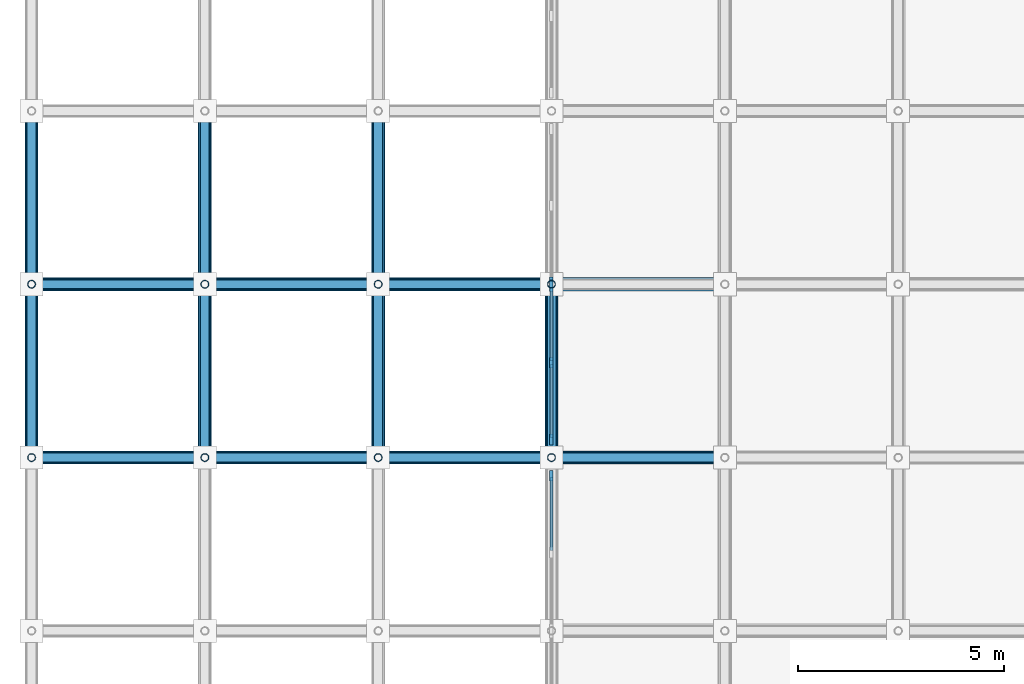
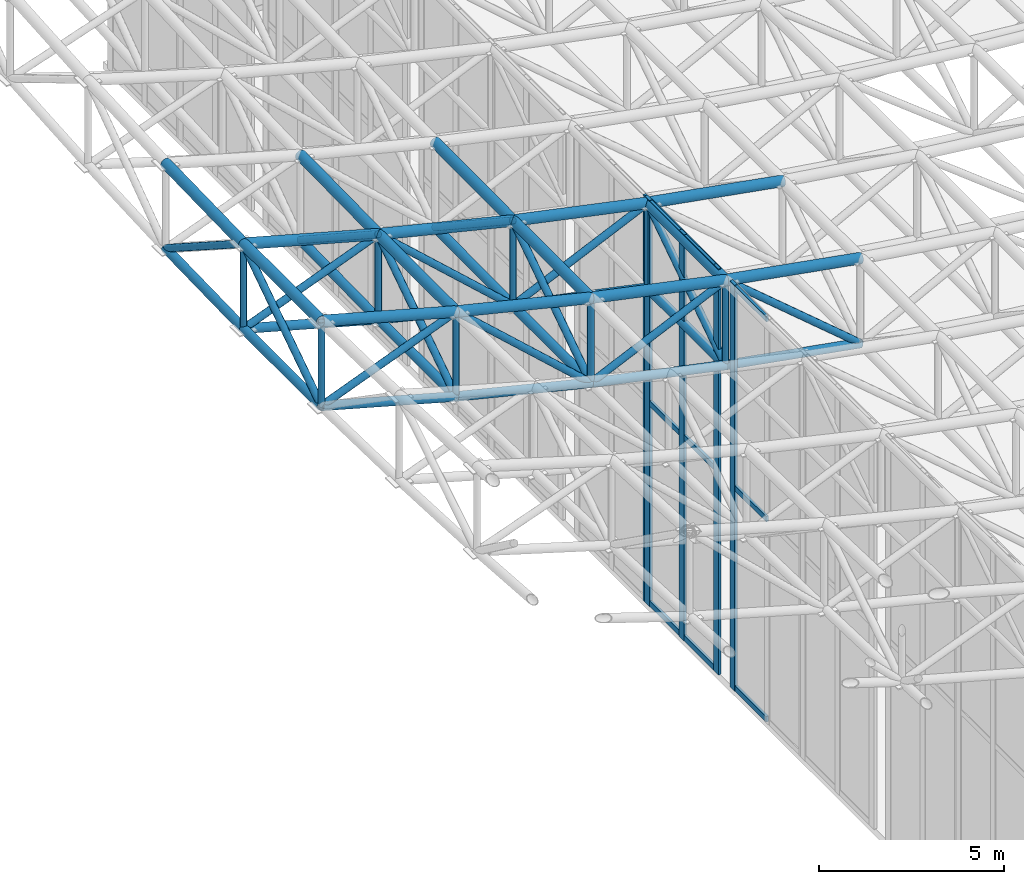
# One storey, part 22 of 93: 65 members, 3 elements without a shape of their own.
"""IFC4 building model written with IfcOpenShell, lengths in metres."""

from ifc_helpers import new_model, si_unit, direction, frame, origin, origin_2d, place, context, subcontext, project, spatial, rectangle, hollow_circle, extrude, material, material_profile, profile_set, type_object, element, aggregate, save


model = new_model("IFC4")

# Units and contexts
model_context = context("Model", 3, precision=1e-05, world=origin(), true_north=direction((0.0, 1.0)))
body_context = subcontext(model_context, "Body", "Model", "MODEL_VIEW")
ifc_project = project(units=[si_unit("LENGTHUNIT", "METRE"), si_unit("AREAUNIT", "SQUARE_METRE"), si_unit("VOLUMEUNIT", "CUBIC_METRE"), si_unit("PLANEANGLEUNIT", "RADIAN"), si_unit("MASSUNIT", "GRAM", prefix="KILO")], contexts=[model_context])

# Site, building, storey
site_placement = place(None, origin())
site = spatial("IfcSite", under=ifc_project, at=site_placement, CompositionType="ELEMENT")
building_placement = place(site_placement, origin())
building = spatial("IfcBuilding", under=site, at=building_placement, Name="Cumbredor Promenade Congress Hotel", CompositionType="ELEMENT")
storey_placement = place(building_placement, frame((0.0, 0.0, 21.840087890625)))
storey = spatial("IfcBuildingStorey", under=building, at=storey_placement, Name="L06", CompositionType="ELEMENT", Elevation=21.840087890625)

# Curtain wall, member
ifc_material_1 = material(Name="Thermally broken anodized aluminium and low-E glass", Category="aluminium")
curtain_wall_type = type_object("IfcCurtainWallType", Name="Stepped Pavilion Clerestory Curtain Wall CW-06", PredefinedType="NOTDEFINED", material=ifc_material_1)
curtain_wall_1_placement = place(storey_placement, origin())
curtain_wall_1 = element("IfcCurtainWall", 1, at=curtain_wall_1_placement, inside=storey, type_object=curtain_wall_type, Name="Plenary Congress Hall W Glazed Clerestory 6", PredefinedType="NOTDEFINED")
ifc_material_2 = material(Name="Thermally broken anodized aluminium", Category="aluminium")
ifc_material_profile_1 = material_profile(ifc_material_2, rectangle(XDim=0.0849609375, YDim=0.260009765625, at=origin_2d()), Name="ALU MULLION CLERESTORY 85x260")
ifc_profile_set_1 = profile_set([ifc_material_profile_1], Name="Thermally broken anodized aluminium")
member_type_1 = type_object("IfcMemberType", Name="Curtain Wall Mullion ML-04", PredefinedType="MULLION", material=ifc_profile_set_1)
member_1_placement = place(storey_placement, frame((8.39990234375, 33.159912109375, -0.01806640625), z_axis=(0.0, 0.0, 1.0), x_axis=(1.0, 0.0, 0.0)))
member_1 = element("IfcMember", 2, at=member_1_placement, type_object=member_type_1, Name="Plenary Congress Hall W Glazed Clerestory 6 Mullion 3", PredefinedType="MULLION", context=body_context, shape_type="SweptSolid", body=[
    extrude(rectangle(XDim=0.0849609375, YDim=0.260009765625, at=origin_2d()), origin(), (0.0, 0.0, 1.0), 13.3857421875),
])

# Curtain wall, members
curtain_wall_2_placement = place(storey_placement, origin())
curtain_wall_2 = element("IfcCurtainWall", 3, at=curtain_wall_2_placement, inside=storey, type_object=curtain_wall_type, Name="Plenary Congress Hall W Glazed Clerestory 7", PredefinedType="NOTDEFINED")
member_2_placement = place(storey_placement, frame((8.39990234375, 34.0400390625, -0.01806640625), z_axis=(0.0, 0.0, 1.0), x_axis=(1.0, 0.0, 0.0)))
member_2 = element("IfcMember", 4, at=member_2_placement, type_object=member_type_1, Name="Plenary Congress Hall W Glazed Clerestory 7 Mullion 1", PredefinedType="MULLION", context=body_context, shape_type="SweptSolid", body=[
    extrude(rectangle(XDim=0.0849609375, YDim=0.260009765625, at=origin_2d()), origin(), (0.0, 0.0, 1.0), 13.3857421875),
])
member_3_placement = place(storey_placement, frame((8.39990234375, 35.89990234375, -0.01806640625), z_axis=(0.0, 0.0, 1.0), x_axis=(1.0, 0.0, 0.0)))
member_3 = element("IfcMember", 5, at=member_3_placement, type_object=member_type_1, Name="Plenary Congress Hall W Glazed Clerestory 7 Mullion 2", PredefinedType="MULLION", context=body_context, shape_type="SweptSolid", body=[
    extrude(rectangle(XDim=0.0849609375, YDim=0.260009765625, at=origin_2d()), origin(), (0.0, 0.0, 1.0), 13.3857421875),
])
member_4_placement = place(storey_placement, frame((8.39990234375, 37.760009765625, -0.01806640625), z_axis=(0.0, 0.0, 1.0), x_axis=(1.0, 0.0, 0.0)))
member_4 = element("IfcMember", 6, at=member_4_placement, type_object=member_type_1, Name="Plenary Congress Hall W Glazed Clerestory 7 Mullion 3", PredefinedType="MULLION", context=body_context, shape_type="SweptSolid", body=[
    extrude(rectangle(XDim=0.0849609375, YDim=0.260009765625, at=origin_2d()), origin(), (0.0, 0.0, 1.0), 13.3857421875),
])

# Curtain wall, member
curtain_wall_3_placement = place(storey_placement, origin())
curtain_wall_3 = element("IfcCurtainWall", 7, at=curtain_wall_3_placement, inside=storey, type_object=curtain_wall_type, Name="Plenary Congress Hall W Glazed Clerestory 8", PredefinedType="NOTDEFINED")
member_5_placement = place(storey_placement, frame((8.39990234375, 37.840087890625, -0.01806640625), z_axis=(0.0, 0.0, 1.0), x_axis=(1.0, 0.0, 0.0)))
member_5 = element("IfcMember", 8, at=member_5_placement, type_object=member_type_1, Name="Plenary Congress Hall W Glazed Clerestory 8 Mullion 1", PredefinedType="MULLION", context=body_context, shape_type="SweptSolid", body=[
    extrude(rectangle(XDim=0.0849609375, YDim=0.260009765625, at=origin_2d()), origin(), (0.0, 0.0, 1.0), 13.3857421875),
])
aggregate(curtain_wall_3, [member_5])

# Member
ifc_material_profile_2 = material_profile(ifc_material_2, rectangle(XDim=0.080078125, YDim=0.179931640625, at=origin_2d()), Name="ALU TRANSOM 80x180")
ifc_profile_set_2 = profile_set([ifc_material_profile_2], Name="Thermally broken anodized aluminium")
member_type_2 = type_object("IfcMemberType", Name="Curtain Wall Transom TR-03", PredefinedType="USERDEFINED", material=ifc_profile_set_2)
member_6_placement = place(storey_placement, frame((8.39990234375, 31.342529296875, 0.079833984375), z_axis=(0.0, 1.0, 0.0), x_axis=(-1.0, 0.0, 0.0)))
member_6 = element("IfcMember", 9, at=member_6_placement, type_object=member_type_2, Name="Plenary Congress Hall W Glazed Clerestory 6 Transom 2.1", ObjectType="TRANSOM", PredefinedType="USERDEFINED", context=body_context, shape_type="SweptSolid", body=[
    extrude(rectangle(XDim=0.080078125, YDim=0.179931640625, at=origin_2d()), origin(), (0.0, 0.0, 1.0), 1.77490234375),
])

member_7_placement = place(storey_placement, frame((8.39990234375, 31.342529296875, 6.679931640625), z_axis=(0.0, 1.0, 0.0), x_axis=(-1.0, 0.0, 0.0)))
member_7 = element("IfcMember", 10, at=member_7_placement, type_object=member_type_2, Name="Plenary Congress Hall W Glazed Clerestory 6 Transom 2.2", ObjectType="TRANSOM", PredefinedType="USERDEFINED", context=body_context, shape_type="SweptSolid", body=[
    extrude(rectangle(XDim=0.080078125, YDim=0.179931640625, at=origin_2d()), origin(), (0.0, 0.0, 1.0), 1.77490234375),
])

member_8_placement = place(storey_placement, frame((8.39990234375, 31.342529296875, 13.27001953125), z_axis=(0.0, 1.0, 0.0), x_axis=(-1.0, 0.0, 0.0)))
member_8 = element("IfcMember", 11, at=member_8_placement, type_object=member_type_2, Name="Plenary Congress Hall W Glazed Clerestory 6 Transom 2.3", ObjectType="TRANSOM", PredefinedType="USERDEFINED", context=body_context, shape_type="SweptSolid", body=[
    extrude(rectangle(XDim=0.080078125, YDim=0.179931640625, at=origin_2d()), origin(), (0.0, 0.0, 1.0), 1.77490234375),
])

aggregate(curtain_wall_1, [member_1, member_6, member_7, member_8])

member_9_placement = place(storey_placement, frame((8.39990234375, 34.08251953125, 0.079833984375), z_axis=(0.0, 1.0, 0.0), x_axis=(-1.0, 0.0, 0.0)))
member_9 = element("IfcMember", 12, at=member_9_placement, type_object=member_type_2, Name="Plenary Congress Hall W Glazed Clerestory 7 Transom 1.1", ObjectType="TRANSOM", PredefinedType="USERDEFINED", context=body_context, shape_type="SweptSolid", body=[
    extrude(rectangle(XDim=0.080078125, YDim=0.179931640625, at=origin_2d()), origin(), (0.0, 0.0, 1.0), 1.77490234375),
])

member_10_placement = place(storey_placement, frame((8.39990234375, 34.08251953125, 6.679931640625), z_axis=(0.0, 1.0, 0.0), x_axis=(-1.0, 0.0, 0.0)))
member_10 = element("IfcMember", 13, at=member_10_placement, type_object=member_type_2, Name="Plenary Congress Hall W Glazed Clerestory 7 Transom 1.2", ObjectType="TRANSOM", PredefinedType="USERDEFINED", context=body_context, shape_type="SweptSolid", body=[
    extrude(rectangle(XDim=0.080078125, YDim=0.179931640625, at=origin_2d()), origin(), (0.0, 0.0, 1.0), 1.77490234375),
])

member_11_placement = place(storey_placement, frame((8.39990234375, 34.08251953125, 13.27001953125), z_axis=(0.0, 1.0, 0.0), x_axis=(-1.0, 0.0, 0.0)))
member_11 = element("IfcMember", 14, at=member_11_placement, type_object=member_type_2, Name="Plenary Congress Hall W Glazed Clerestory 7 Transom 1.3", ObjectType="TRANSOM", PredefinedType="USERDEFINED", context=body_context, shape_type="SweptSolid", body=[
    extrude(rectangle(XDim=0.080078125, YDim=0.179931640625, at=origin_2d()), origin(), (0.0, 0.0, 1.0), 1.77490234375),
])

member_12_placement = place(storey_placement, frame((8.39990234375, 35.9423828125, 0.079833984375), z_axis=(0.0, 1.0, 0.0), x_axis=(-1.0, 0.0, 0.0)))
member_12 = element("IfcMember", 15, at=member_12_placement, type_object=member_type_2, Name="Plenary Congress Hall W Glazed Clerestory 7 Transom 2.1", ObjectType="TRANSOM", PredefinedType="USERDEFINED", context=body_context, shape_type="SweptSolid", body=[
    extrude(rectangle(XDim=0.080078125, YDim=0.179931640625, at=origin_2d()), origin(), (0.0, 0.0, 1.0), 1.775146484375),
])

member_13_placement = place(storey_placement, frame((8.39990234375, 35.9423828125, 6.679931640625), z_axis=(0.0, 1.0, 0.0), x_axis=(-1.0, 0.0, 0.0)))
member_13 = element("IfcMember", 16, at=member_13_placement, type_object=member_type_2, Name="Plenary Congress Hall W Glazed Clerestory 7 Transom 2.2", ObjectType="TRANSOM", PredefinedType="USERDEFINED", context=body_context, shape_type="SweptSolid", body=[
    extrude(rectangle(XDim=0.080078125, YDim=0.179931640625, at=origin_2d()), origin(), (0.0, 0.0, 1.0), 1.775146484375),
])

member_14_placement = place(storey_placement, frame((8.39990234375, 35.9423828125, 13.27001953125), z_axis=(0.0, 1.0, 0.0), x_axis=(-1.0, 0.0, 0.0)))
member_14 = element("IfcMember", 17, at=member_14_placement, type_object=member_type_2, Name="Plenary Congress Hall W Glazed Clerestory 7 Transom 2.3", ObjectType="TRANSOM", PredefinedType="USERDEFINED", context=body_context, shape_type="SweptSolid", body=[
    extrude(rectangle(XDim=0.080078125, YDim=0.179931640625, at=origin_2d()), origin(), (0.0, 0.0, 1.0), 1.775146484375),
])

aggregate(curtain_wall_2, [member_2, member_3, member_4, member_9, member_10, member_11, member_12, member_13, member_14])

# Members
ifc_material_3 = material(Name="Steel ASTM A500 Grade C", Category="steel")
ifc_material_profile_3 = material_profile(ifc_material_3, hollow_circle(Radius=0.136474609375, WallThickness=0.01611328125, at=origin_2d()), Name="CHS 273.0x16")
ifc_profile_set_3 = profile_set([ifc_material_profile_3], Name="Steel ASTM A500 Grade C")
member_type_3 = type_object("IfcMemberType", Name="Plenary Roof Space Frame Bottom Chord", PredefinedType="CHORD", material=ifc_profile_set_3)
member_15_placement = place(storey_placement, frame((-4.199951171875, 33.60009765625, 13.443359375), z_axis=(0.963958927947, 0.0, -0.266051095152), x_axis=(0.0, 1.0, 0.0)))
element("IfcMember", 18, at=member_15_placement, inside=storey, type_object=member_type_3, Name="Plenary Congress Hall X Bottom Chord 1.9", PredefinedType="CHORD", context=body_context, shape_type="SweptSolid", body=[
    extrude(hollow_circle(Radius=0.136474609375, WallThickness=0.01611328125, at=origin_2d()), origin(), (0.0, 0.0, 1.0), 4.35693359375),
])
member_16_placement = place(storey_placement, frame((0.0, 33.60009765625, 12.2841796875), z_axis=(0.971726123855, 0.0, -0.236110864251), x_axis=(0.0, 1.0, 0.0)))
element("IfcMember", 19, at=member_16_placement, inside=storey, type_object=member_type_3, Name="Plenary Congress Hall X Bottom Chord 2.9", PredefinedType="CHORD", context=body_context, shape_type="SweptSolid", body=[
    extrude(hollow_circle(Radius=0.136474609375, WallThickness=0.01611328125, at=origin_2d()), origin(), (0.0, 0.0, 1.0), 4.322265625),
])
member_17_placement = place(storey_placement, frame((4.199951171875, 33.60009765625, 11.263671875), z_axis=(0.978557630203, 0.0, -0.205973212752), x_axis=(0.0, 1.0, 0.0)))
element("IfcMember", 20, at=member_17_placement, inside=storey, type_object=member_type_3, Name="Plenary Congress Hall X Bottom Chord 3.9", PredefinedType="CHORD", context=body_context, shape_type="SweptSolid", body=[
    extrude(hollow_circle(Radius=0.136474609375, WallThickness=0.01611328125, at=origin_2d()), origin(), (0.0, 0.0, 1.0), 4.2919921875),
])
member_18_placement = place(storey_placement, frame((8.39990234375, 33.60009765625, 10.379638671875), z_axis=(0.98449823124, 0.0, -0.175394505856), x_axis=(0.0, 1.0, 0.0)))
element("IfcMember", 21, at=member_18_placement, inside=storey, type_object=member_type_3, Name="Plenary Congress Hall X Bottom Chord 4.9", PredefinedType="CHORD", context=body_context, shape_type="SweptSolid", body=[
    extrude(hollow_circle(Radius=0.136474609375, WallThickness=0.01611328125, at=origin_2d()), origin(), (0.0, 0.0, 1.0), 4.266357421875),
])
member_19_placement = place(storey_placement, frame((-4.199951171875, 37.800048828125, 13.443359375), z_axis=(0.963958927947, 0.0, -0.266051095152), x_axis=(0.0, 1.0, 0.0)))
element("IfcMember", 22, at=member_19_placement, inside=storey, type_object=member_type_3, Name="Plenary Congress Hall X Bottom Chord 1.10", PredefinedType="CHORD", context=body_context, shape_type="SweptSolid", body=[
    extrude(hollow_circle(Radius=0.136474609375, WallThickness=0.01611328125, at=origin_2d()), origin(), (0.0, 0.0, 1.0), 4.35693359375),
])
member_20_placement = place(storey_placement, frame((0.0, 37.800048828125, 12.2841796875), z_axis=(0.971726123855, 0.0, -0.236110864251), x_axis=(0.0, 1.0, 0.0)))
element("IfcMember", 23, at=member_20_placement, inside=storey, type_object=member_type_3, Name="Plenary Congress Hall X Bottom Chord 2.10", PredefinedType="CHORD", context=body_context, shape_type="SweptSolid", body=[
    extrude(hollow_circle(Radius=0.136474609375, WallThickness=0.01611328125, at=origin_2d()), origin(), (0.0, 0.0, 1.0), 4.322265625),
])
member_21_placement = place(storey_placement, frame((4.199951171875, 37.800048828125, 11.263671875), z_axis=(0.978557630203, 0.0, -0.205973212752), x_axis=(0.0, 1.0, 0.0)))
element("IfcMember", 24, at=member_21_placement, inside=storey, type_object=member_type_3, Name="Plenary Congress Hall X Bottom Chord 3.10", PredefinedType="CHORD", context=body_context, shape_type="SweptSolid", body=[
    extrude(hollow_circle(Radius=0.136474609375, WallThickness=0.01611328125, at=origin_2d()), origin(), (0.0, 0.0, 1.0), 4.2919921875),
])
member_22_placement = place(storey_placement, frame((-4.199951171875, 33.60009765625, 13.443359375), z_axis=(0.0, 1.0, 0.0), x_axis=(-1.0, 0.0, 0.0)))
element("IfcMember", 25, at=member_22_placement, inside=storey, type_object=member_type_3, Name="Plenary Congress Hall Y Bottom Chord 1.9", PredefinedType="CHORD", context=body_context, shape_type="SweptSolid", body=[
    extrude(hollow_circle(Radius=0.136474609375, WallThickness=0.01611328125, at=origin_2d()), origin(), (0.0, 0.0, 1.0), 4.199951171875),
])
member_23_placement = place(storey_placement, frame((-4.199951171875, 37.800048828125, 13.443359375), z_axis=(0.0, 0.999707747746, 0.024174761557), x_axis=(-1.0, 0.0, 0.0)))
element("IfcMember", 26, at=member_23_placement, inside=storey, type_object=member_type_3, Name="Plenary Congress Hall Y Bottom Chord 1.10", PredefinedType="CHORD", context=body_context, shape_type="SweptSolid", body=[
    extrude(hollow_circle(Radius=0.136474609375, WallThickness=0.01611328125, at=origin_2d()), origin(), (0.0, 0.0, 1.0), 4.201171875),
])
member_24_placement = place(storey_placement, frame((0.0, 33.60009765625, 12.2841796875), z_axis=(0.0, 1.0, 0.0), x_axis=(-1.0, 0.0, 0.0)))
element("IfcMember", 27, at=member_24_placement, inside=storey, type_object=member_type_3, Name="Plenary Congress Hall Y Bottom Chord 2.9", PredefinedType="CHORD", context=body_context, shape_type="SweptSolid", body=[
    extrude(hollow_circle(Radius=0.136474609375, WallThickness=0.01611328125, at=origin_2d()), origin(), (0.0, 0.0, 1.0), 4.199951171875),
])
member_25_placement = place(storey_placement, frame((0.0, 37.800048828125, 12.2841796875), z_axis=(0.0, 0.999878674477, 0.015576788046), x_axis=(-1.0, 0.0, 0.0)))
element("IfcMember", 28, at=member_25_placement, inside=storey, type_object=member_type_3, Name="Plenary Congress Hall Y Bottom Chord 2.10", PredefinedType="CHORD", context=body_context, shape_type="SweptSolid", body=[
    extrude(hollow_circle(Radius=0.136474609375, WallThickness=0.01611328125, at=origin_2d()), origin(), (0.0, 0.0, 1.0), 4.200439453125),
])
member_26_placement = place(storey_placement, frame((4.199951171875, 33.60009765625, 11.263671875), z_axis=(0.0, 1.0, 0.0), x_axis=(-1.0, 0.0, 0.0)))
element("IfcMember", 29, at=member_26_placement, inside=storey, type_object=member_type_3, Name="Plenary Congress Hall Y Bottom Chord 3.9", PredefinedType="CHORD", context=body_context, shape_type="SweptSolid", body=[
    extrude(hollow_circle(Radius=0.136474609375, WallThickness=0.01611328125, at=origin_2d()), origin(), (0.0, 0.0, 1.0), 4.199951171875),
])
member_27_placement = place(storey_placement, frame((4.199951171875, 37.800048828125, 11.263671875), z_axis=(0.0, 0.999965452932, 0.00831221646), x_axis=(-1.0, 0.0, 0.0)))
element("IfcMember", 30, at=member_27_placement, inside=storey, type_object=member_type_3, Name="Plenary Congress Hall Y Bottom Chord 3.10", PredefinedType="CHORD", context=body_context, shape_type="SweptSolid", body=[
    extrude(hollow_circle(Radius=0.136474609375, WallThickness=0.01611328125, at=origin_2d()), origin(), (0.0, 0.0, 1.0), 4.2001953125),
])
member_28_placement = place(storey_placement, frame((8.39990234375, 33.60009765625, 10.379638671875), z_axis=(0.0, 1.0, 0.0), x_axis=(-1.0, 0.0, 0.0)))
element("IfcMember", 31, at=member_28_placement, inside=storey, type_object=member_type_3, Name="Plenary Congress Hall Y Bottom Chord 4.9", PredefinedType="CHORD", context=body_context, shape_type="SweptSolid", body=[
    extrude(hollow_circle(Radius=0.136474609375, WallThickness=0.01611328125, at=origin_2d()), origin(), (0.0, 0.0, 1.0), 4.199951171875),
])
ifc_material_profile_4 = material_profile(ifc_material_3, hollow_circle(Radius=0.161865234375, WallThickness=0.01611328125, at=origin_2d()), Name="CHS 323.9x16")
ifc_profile_set_4 = profile_set([ifc_material_profile_4], Name="Steel ASTM A500 Grade C")
member_type_4 = type_object("IfcMemberType", Name="Plenary Roof Space Frame Top Chord", PredefinedType="CHORD", material=ifc_profile_set_4)
member_29_placement = place(storey_placement, frame((-4.199951171875, 33.60009765625, 16.243408203125), z_axis=(0.963958927947, 0.0, -0.266051095152), x_axis=(0.0, 1.0, 0.0)))
element("IfcMember", 32, at=member_29_placement, inside=storey, type_object=member_type_4, Name="Plenary Congress Hall X Top Chord 1.9", PredefinedType="CHORD", context=body_context, shape_type="SweptSolid", body=[
    extrude(hollow_circle(Radius=0.161865234375, WallThickness=0.01611328125, at=origin_2d()), origin(), (0.0, 0.0, 1.0), 4.35693359375),
])
member_30_placement = place(storey_placement, frame((0.0, 33.60009765625, 15.084228515625), z_axis=(0.971726123855, 0.0, -0.236110864251), x_axis=(0.0, 1.0, 0.0)))
element("IfcMember", 33, at=member_30_placement, inside=storey, type_object=member_type_4, Name="Plenary Congress Hall X Top Chord 2.9", PredefinedType="CHORD", context=body_context, shape_type="SweptSolid", body=[
    extrude(hollow_circle(Radius=0.161865234375, WallThickness=0.01611328125, at=origin_2d()), origin(), (0.0, 0.0, 1.0), 4.322265625),
])
member_31_placement = place(storey_placement, frame((4.199951171875, 33.60009765625, 14.063720703125), z_axis=(0.978557630203, 0.0, -0.205973212752), x_axis=(0.0, 1.0, 0.0)))
element("IfcMember", 34, at=member_31_placement, inside=storey, type_object=member_type_4, Name="Plenary Congress Hall X Top Chord 3.9", PredefinedType="CHORD", context=body_context, shape_type="SweptSolid", body=[
    extrude(hollow_circle(Radius=0.161865234375, WallThickness=0.01611328125, at=origin_2d()), origin(), (0.0, 0.0, 1.0), 4.2919921875),
])
member_32_placement = place(storey_placement, frame((8.39990234375, 33.60009765625, 13.1796875), z_axis=(0.98449823124, 0.0, -0.175394505856), x_axis=(0.0, 1.0, 0.0)))
element("IfcMember", 35, at=member_32_placement, inside=storey, type_object=member_type_4, Name="Plenary Congress Hall X Top Chord 4.9", PredefinedType="CHORD", context=body_context, shape_type="SweptSolid", body=[
    extrude(hollow_circle(Radius=0.161865234375, WallThickness=0.01611328125, at=origin_2d()), origin(), (0.0, 0.0, 1.0), 4.266357421875),
])
member_33_placement = place(storey_placement, frame((-4.199951171875, 37.800048828125, 16.243408203125), z_axis=(0.963958927947, 0.0, -0.266051095152), x_axis=(0.0, 1.0, 0.0)))
element("IfcMember", 36, at=member_33_placement, inside=storey, type_object=member_type_4, Name="Plenary Congress Hall X Top Chord 1.10", PredefinedType="CHORD", context=body_context, shape_type="SweptSolid", body=[
    extrude(hollow_circle(Radius=0.161865234375, WallThickness=0.01611328125, at=origin_2d()), origin(), (0.0, 0.0, 1.0), 4.35693359375),
])
member_34_placement = place(storey_placement, frame((0.0, 37.800048828125, 15.084228515625), z_axis=(0.971726123855, 0.0, -0.236110864251), x_axis=(0.0, 1.0, 0.0)))
element("IfcMember", 37, at=member_34_placement, inside=storey, type_object=member_type_4, Name="Plenary Congress Hall X Top Chord 2.10", PredefinedType="CHORD", context=body_context, shape_type="SweptSolid", body=[
    extrude(hollow_circle(Radius=0.161865234375, WallThickness=0.01611328125, at=origin_2d()), origin(), (0.0, 0.0, 1.0), 4.322265625),
])
member_35_placement = place(storey_placement, frame((4.199951171875, 37.800048828125, 14.063720703125), z_axis=(0.978557630203, 0.0, -0.205973212752), x_axis=(0.0, 1.0, 0.0)))
element("IfcMember", 38, at=member_35_placement, inside=storey, type_object=member_type_4, Name="Plenary Congress Hall X Top Chord 3.10", PredefinedType="CHORD", context=body_context, shape_type="SweptSolid", body=[
    extrude(hollow_circle(Radius=0.161865234375, WallThickness=0.01611328125, at=origin_2d()), origin(), (0.0, 0.0, 1.0), 4.2919921875),
])
member_36_placement = place(storey_placement, frame((8.39990234375, 37.800048828125, 13.1796875), z_axis=(0.98449823124, 0.0, -0.175394505856), x_axis=(0.0, 1.0, 0.0)))
element("IfcMember", 39, at=member_36_placement, inside=storey, type_object=member_type_4, Name="Plenary Congress Hall X Top Chord 4.10", PredefinedType="CHORD", context=body_context, shape_type="SweptSolid", body=[
    extrude(hollow_circle(Radius=0.161865234375, WallThickness=0.01611328125, at=origin_2d()), origin(), (0.0, 0.0, 1.0), 4.266357421875),
])
member_37_placement = place(storey_placement, frame((-4.199951171875, 33.60009765625, 16.243408203125), z_axis=(0.0, 1.0, 0.0), x_axis=(-1.0, 0.0, 0.0)))
element("IfcMember", 40, at=member_37_placement, inside=storey, type_object=member_type_4, Name="Plenary Congress Hall Y Top Chord 1.9", PredefinedType="CHORD", context=body_context, shape_type="SweptSolid", body=[
    extrude(hollow_circle(Radius=0.161865234375, WallThickness=0.01611328125, at=origin_2d()), origin(), (0.0, 0.0, 1.0), 4.199951171875),
])
member_38_placement = place(storey_placement, frame((-4.199951171875, 37.800048828125, 16.243408203125), z_axis=(0.0, 0.999707747746, 0.024174761557), x_axis=(-1.0, 0.0, 0.0)))
element("IfcMember", 41, at=member_38_placement, inside=storey, type_object=member_type_4, Name="Plenary Congress Hall Y Top Chord 1.10", PredefinedType="CHORD", context=body_context, shape_type="SweptSolid", body=[
    extrude(hollow_circle(Radius=0.161865234375, WallThickness=0.01611328125, at=origin_2d()), origin(), (0.0, 0.0, 1.0), 4.201171875),
])
member_39_placement = place(storey_placement, frame((0.0, 33.60009765625, 15.084228515625), z_axis=(0.0, 1.0, 0.0), x_axis=(-1.0, 0.0, 0.0)))
element("IfcMember", 42, at=member_39_placement, inside=storey, type_object=member_type_4, Name="Plenary Congress Hall Y Top Chord 2.9", PredefinedType="CHORD", context=body_context, shape_type="SweptSolid", body=[
    extrude(hollow_circle(Radius=0.161865234375, WallThickness=0.01611328125, at=origin_2d()), origin(), (0.0, 0.0, 1.0), 4.199951171875),
])
member_40_placement = place(storey_placement, frame((0.0, 37.800048828125, 15.084228515625), z_axis=(0.0, 0.999878674477, 0.015576788046), x_axis=(-1.0, 0.0, 0.0)))
element("IfcMember", 43, at=member_40_placement, inside=storey, type_object=member_type_4, Name="Plenary Congress Hall Y Top Chord 2.10", PredefinedType="CHORD", context=body_context, shape_type="SweptSolid", body=[
    extrude(hollow_circle(Radius=0.161865234375, WallThickness=0.01611328125, at=origin_2d()), origin(), (0.0, 0.0, 1.0), 4.200439453125),
])
member_41_placement = place(storey_placement, frame((4.199951171875, 33.60009765625, 14.063720703125), z_axis=(0.0, 1.0, 0.0), x_axis=(-1.0, 0.0, 0.0)))
element("IfcMember", 44, at=member_41_placement, inside=storey, type_object=member_type_4, Name="Plenary Congress Hall Y Top Chord 3.9", PredefinedType="CHORD", context=body_context, shape_type="SweptSolid", body=[
    extrude(hollow_circle(Radius=0.161865234375, WallThickness=0.01611328125, at=origin_2d()), origin(), (0.0, 0.0, 1.0), 4.199951171875),
])
member_42_placement = place(storey_placement, frame((4.199951171875, 37.800048828125, 14.063720703125), z_axis=(0.0, 0.999965452932, 0.00831221646), x_axis=(-1.0, 0.0, 0.0)))
element("IfcMember", 45, at=member_42_placement, inside=storey, type_object=member_type_4, Name="Plenary Congress Hall Y Top Chord 3.10", PredefinedType="CHORD", context=body_context, shape_type="SweptSolid", body=[
    extrude(hollow_circle(Radius=0.161865234375, WallThickness=0.01611328125, at=origin_2d()), origin(), (0.0, 0.0, 1.0), 4.2001953125),
])
member_43_placement = place(storey_placement, frame((8.39990234375, 33.60009765625, 13.1796875), z_axis=(0.0, 1.0, 0.0), x_axis=(-1.0, 0.0, 0.0)))
element("IfcMember", 46, at=member_43_placement, inside=storey, type_object=member_type_4, Name="Plenary Congress Hall Y Top Chord 4.9", PredefinedType="CHORD", context=body_context, shape_type="SweptSolid", body=[
    extrude(hollow_circle(Radius=0.161865234375, WallThickness=0.01611328125, at=origin_2d()), origin(), (0.0, 0.0, 1.0), 4.199951171875),
])
ifc_material_profile_5 = material_profile(ifc_material_3, hollow_circle(Radius=0.109619140625, WallThickness=0.012451171875, at=origin_2d()), Name="CHS 219.1x12.5")
ifc_profile_set_5 = profile_set([ifc_material_profile_5], Name="Steel ASTM A500 Grade C")
member_type_5 = type_object("IfcMemberType", Name="Space Frame Web Diagonal D1", PredefinedType="BRACE", material=ifc_profile_set_5)
member_44_placement = place(storey_placement, frame((-4.199951171875, 33.60009765625, 13.443359375), z_axis=(0.931437564533, 0.0, 0.363901172541), x_axis=(0.0, 1.0, 0.0)))
element("IfcMember", 47, at=member_44_placement, inside=storey, type_object=member_type_5, Name="Plenary Congress Hall X Web Diagonal 1.9", PredefinedType="BRACE", context=body_context, shape_type="SweptSolid", body=[
    extrude(hollow_circle(Radius=0.109619140625, WallThickness=0.012451171875, at=origin_2d()), origin(), (0.0, 0.0, 1.0), 4.509033203125),
])
member_45_placement = place(storey_placement, frame((0.0, 33.60009765625, 15.084228515625), z_axis=(0.739727955472, 0.0, -0.672906049827), x_axis=(0.0, 1.0, 0.0)))
element("IfcMember", 48, at=member_45_placement, inside=storey, type_object=member_type_5, Name="Plenary Congress Hall X Web Diagonal 2.9", PredefinedType="BRACE", context=body_context, shape_type="SweptSolid", body=[
    extrude(hollow_circle(Radius=0.109619140625, WallThickness=0.012451171875, at=origin_2d()), origin(), (0.0, 0.0, 1.0), 5.677734375),
])
member_46_placement = place(storey_placement, frame((4.199951171875, 33.60009765625, 11.263671875), z_axis=(0.90979872818, 0.0, 0.415049724976), x_axis=(0.0, 1.0, 0.0)))
element("IfcMember", 49, at=member_46_placement, inside=storey, type_object=member_type_5, Name="Plenary Congress Hall X Web Diagonal 3.9", PredefinedType="BRACE", context=body_context, shape_type="SweptSolid", body=[
    extrude(hollow_circle(Radius=0.109619140625, WallThickness=0.012451171875, at=origin_2d()), origin(), (0.0, 0.0, 1.0), 4.616455078125),
])
member_47_placement = place(storey_placement, frame((8.39990234375, 33.60009765625, 13.1796875), z_axis=(0.763894683048, 0.0, -0.64534092789), x_axis=(0.0, 1.0, 0.0)))
element("IfcMember", 50, at=member_47_placement, inside=storey, type_object=member_type_5, Name="Plenary Congress Hall X Web Diagonal 4.9", PredefinedType="BRACE", context=body_context, shape_type="SweptSolid", body=[
    extrude(hollow_circle(Radius=0.109619140625, WallThickness=0.012451171875, at=origin_2d()), origin(), (0.0, 0.0, 1.0), 5.498291015625),
])
member_48_placement = place(storey_placement, frame((-4.199951171875, 37.800048828125, 13.443359375), z_axis=(0.931437564533, 0.0, 0.363901172541), x_axis=(0.0, 1.0, 0.0)))
element("IfcMember", 51, at=member_48_placement, inside=storey, type_object=member_type_5, Name="Plenary Congress Hall X Web Diagonal 1.10", PredefinedType="BRACE", context=body_context, shape_type="SweptSolid", body=[
    extrude(hollow_circle(Radius=0.109619140625, WallThickness=0.012451171875, at=origin_2d()), origin(), (0.0, 0.0, 1.0), 4.509033203125),
])
member_49_placement = place(storey_placement, frame((0.0, 37.800048828125, 15.084228515625), z_axis=(0.739727955472, 0.0, -0.672906049827), x_axis=(0.0, 1.0, 0.0)))
element("IfcMember", 52, at=member_49_placement, inside=storey, type_object=member_type_5, Name="Plenary Congress Hall X Web Diagonal 2.10", PredefinedType="BRACE", context=body_context, shape_type="SweptSolid", body=[
    extrude(hollow_circle(Radius=0.109619140625, WallThickness=0.012451171875, at=origin_2d()), origin(), (0.0, 0.0, 1.0), 5.677734375),
])
member_50_placement = place(storey_placement, frame((4.199951171875, 37.800048828125, 11.263671875), z_axis=(0.90979872818, 0.0, 0.415049724976), x_axis=(0.0, 1.0, 0.0)))
element("IfcMember", 53, at=member_50_placement, inside=storey, type_object=member_type_5, Name="Plenary Congress Hall X Web Diagonal 3.10", PredefinedType="BRACE", context=body_context, shape_type="SweptSolid", body=[
    extrude(hollow_circle(Radius=0.109619140625, WallThickness=0.012451171875, at=origin_2d()), origin(), (0.0, 0.0, 1.0), 4.616455078125),
])
member_51_placement = place(storey_placement, frame((-4.199951171875, 33.60009765625, 13.443359375), z_axis=(0.0, 0.832042853317, 0.554711357594), x_axis=(-1.0, 0.0, 0.0)))
element("IfcMember", 54, at=member_51_placement, inside=storey, type_object=member_type_5, Name="Plenary Congress Hall Y Web Diagonal 1.9", PredefinedType="BRACE", context=body_context, shape_type="SweptSolid", body=[
    extrude(hollow_circle(Radius=0.109619140625, WallThickness=0.012451171875, at=origin_2d()), origin(), (0.0, 0.0, 1.0), 5.0478515625),
])
member_52_placement = place(storey_placement, frame((-4.199951171875, 37.800048828125, 16.243408203125), z_axis=(0.0, 0.841313511812, -0.540547476955), x_axis=(-1.0, 0.0, 0.0)))
element("IfcMember", 55, at=member_52_placement, inside=storey, type_object=member_type_5, Name="Plenary Congress Hall Y Web Diagonal 1.10", PredefinedType="BRACE", context=body_context, shape_type="SweptSolid", body=[
    extrude(hollow_circle(Radius=0.109619140625, WallThickness=0.012451171875, at=origin_2d()), origin(), (0.0, 0.0, 1.0), 4.9921875),
])
member_53_placement = place(storey_placement, frame((0.0, 33.60009765625, 12.2841796875), z_axis=(0.0, 0.832042853317, 0.554711357594), x_axis=(-1.0, 0.0, 0.0)))
element("IfcMember", 56, at=member_53_placement, inside=storey, type_object=member_type_5, Name="Plenary Congress Hall Y Web Diagonal 2.9", PredefinedType="BRACE", context=body_context, shape_type="SweptSolid", body=[
    extrude(hollow_circle(Radius=0.109619140625, WallThickness=0.012451171875, at=origin_2d()), origin(), (0.0, 0.0, 1.0), 5.0478515625),
])
member_54_placement = place(storey_placement, frame((0.0, 37.800048828125, 15.084228515625), z_axis=(0.0, 0.838019323406, -0.545640553477), x_axis=(-1.0, 0.0, 0.0)))
element("IfcMember", 57, at=member_54_placement, inside=storey, type_object=member_type_5, Name="Plenary Congress Hall Y Web Diagonal 2.10", PredefinedType="BRACE", context=body_context, shape_type="SweptSolid", body=[
    extrude(hollow_circle(Radius=0.109619140625, WallThickness=0.012451171875, at=origin_2d()), origin(), (0.0, 0.0, 1.0), 5.01171875),
])
member_55_placement = place(storey_placement, frame((4.199951171875, 33.60009765625, 11.263671875), z_axis=(0.0, 0.832042853317, 0.554711357594), x_axis=(-1.0, 0.0, 0.0)))
element("IfcMember", 58, at=member_55_placement, inside=storey, type_object=member_type_5, Name="Plenary Congress Hall Y Web Diagonal 3.9", PredefinedType="BRACE", context=body_context, shape_type="SweptSolid", body=[
    extrude(hollow_circle(Radius=0.109619140625, WallThickness=0.012451171875, at=origin_2d()), origin(), (0.0, 0.0, 1.0), 5.0478515625),
])
member_56_placement = place(storey_placement, frame((4.199951171875, 37.800048828125, 14.063720703125), z_axis=(0.0, 0.835233412431, -0.54989557805), x_axis=(-1.0, 0.0, 0.0)))
element("IfcMember", 59, at=member_56_placement, inside=storey, type_object=member_type_5, Name="Plenary Congress Hall Y Web Diagonal 3.10", PredefinedType="BRACE", context=body_context, shape_type="SweptSolid", body=[
    extrude(hollow_circle(Radius=0.109619140625, WallThickness=0.012451171875, at=origin_2d()), origin(), (0.0, 0.0, 1.0), 5.028564453125),
])
member_57_placement = place(storey_placement, frame((8.39990234375, 33.60009765625, 10.379638671875), z_axis=(0.0, 0.832042853317, 0.554711357594), x_axis=(-1.0, 0.0, 0.0)))
element("IfcMember", 60, at=member_57_placement, inside=storey, type_object=member_type_5, Name="Plenary Congress Hall Y Web Diagonal 4.9", PredefinedType="BRACE", context=body_context, shape_type="SweptSolid", body=[
    extrude(hollow_circle(Radius=0.109619140625, WallThickness=0.012451171875, at=origin_2d()), origin(), (0.0, 0.0, 1.0), 5.0478515625),
])
ifc_material_profile_6 = material_profile(ifc_material_3, hollow_circle(Radius=0.096923828125, WallThickness=0.010009765625, at=origin_2d()), Name="CHS 193.7x10")
ifc_profile_set_6 = profile_set([ifc_material_profile_6], Name="Steel ASTM A500 Grade C")
member_type_6 = type_object("IfcMemberType", Name="Space Frame Web Post P1", PredefinedType="BRACE", material=ifc_profile_set_6)
for number, where, z_axis, x_axis, name in (
    (61, (-4.199951171875, 33.60009765625, 13.443359375), (0.0, 0.0, 1.0), (1.0, 0.0, 0.0), "Plenary Congress Hall Space Frame Web Post 1.9"),
    (62, (-4.199951171875, 37.800048828125, 13.443359375), (0.0, 0.0, 1.0), (1.0, 0.0, 0.0), "Plenary Congress Hall Space Frame Web Post 1.10"),
    (63, (0.0, 33.60009765625, 12.2841796875), (0.0, 0.0, 1.0), (1.0, 0.0, 0.0), "Plenary Congress Hall Space Frame Web Post 2.9"),
    (64, (0.0, 37.800048828125, 12.2841796875), (0.0, 0.0, 1.0), (1.0, 0.0, 0.0), "Plenary Congress Hall Space Frame Web Post 2.10"),
    (65, (4.199951171875, 33.60009765625, 11.263671875), (0.0, 0.0, 1.0), (1.0, 0.0, 0.0), "Plenary Congress Hall Space Frame Web Post 3.9"),
    (66, (4.199951171875, 37.800048828125, 11.263671875), (0.0, 0.0, 1.0), (1.0, 0.0, 0.0), "Plenary Congress Hall Space Frame Web Post 3.10"),
    (67, (8.39990234375, 33.60009765625, 10.379638671875), (0.0, 0.0, 1.0), (1.0, 0.0, 0.0), "Plenary Congress Hall Space Frame Web Post 4.9"),
    (68, (8.39990234375, 37.800048828125, 10.379638671875), (0.0, 0.0, 1.0), (1.0, 0.0, 0.0), "Plenary Congress Hall Space Frame Web Post 4.10"),
):
    element("IfcMember", number, at=place(storey_placement, frame(where, z_axis=z_axis, x_axis=x_axis)), inside=storey, type_object=member_type_6, Name=name, PredefinedType="BRACE", context=body_context, shape_type="SweptSolid", body=[
        extrude(hollow_circle(Radius=0.096923828125, WallThickness=0.010009765625, at=origin_2d()), origin(), (0.0, 0.0, 1.0), 2.800048828125),
    ])

save(model, "model.ifc")
